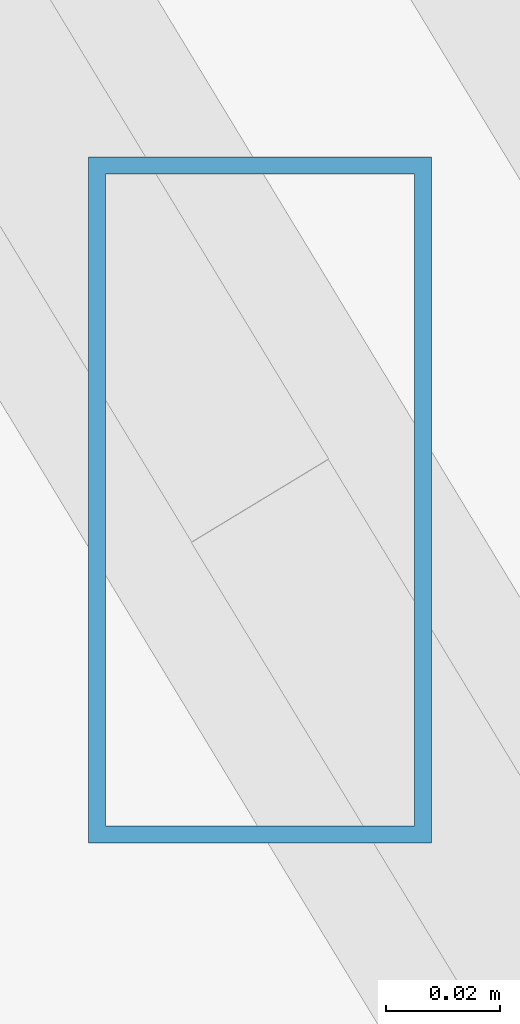
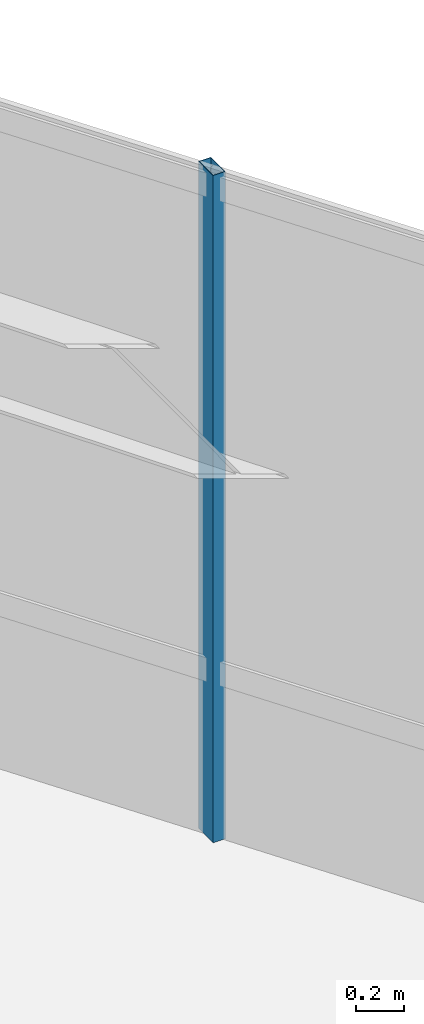
# One storey, part 26 of 47: 1 member, 1 element without a shape of its own.
"""IFC4 building model written with IfcOpenShell, lengths in metres."""

from ifc_helpers import new_model, si_unit, direction, frame, origin, origin_2d, place, context, subcontext, project, spatial, hollow_rectangle, extrude, source, transform, mapped, material, material_profile, profile_set, type_object, type_shapes, element, aggregate, save


model = new_model("IFC4")

# Units and contexts
model_context = context("Model", 3, precision=1e-05, world=origin(), true_north=direction((0.0, 1.0)))
body_context = subcontext(model_context, "Body", "Model", "MODEL_VIEW")
ifc_project = project(units=[si_unit("LENGTHUNIT", "METRE"), si_unit("AREAUNIT", "SQUARE_METRE"), si_unit("VOLUMEUNIT", "CUBIC_METRE"), si_unit("PLANEANGLEUNIT", "RADIAN"), si_unit("MASSUNIT", "GRAM", prefix="KILO")], contexts=[model_context])

# Site, building, storey
site_placement = place(None, origin())
site = spatial("IfcSite", under=ifc_project, at=site_placement, CompositionType="ELEMENT")
building_placement = place(site_placement, origin())
building = spatial("IfcBuilding", under=site, at=building_placement, Name="Caelisora Broadcast Tower", CompositionType="ELEMENT")
storey_placement = place(building_placement, frame((0.0, 0.0, 229.85009765625)))
storey = spatial("IfcBuildingStorey", under=building, at=storey_placement, Name="L60", CompositionType="ELEMENT", Elevation=229.85009765625)

# Curtain wall, member
ifc_material_1 = material(Name="Unitised Aluminium and Low-E Glass Curtain Wall", Category="glass")
curtain_wall_type = type_object("IfcCurtainWallType", Name="CW-Z5", PredefinedType="NOTDEFINED", material=ifc_material_1)
curtain_wall_placement = place(storey_placement, origin())
curtain_wall = element("IfcCurtainWall", 1, at=curtain_wall_placement, inside=storey, type_object=curtain_wall_type, Name="L60 curtain wall CW-Z5", PredefinedType="NOTDEFINED")
ifc_material_2 = material(Name="Aluminium 6063-T6 Anodised Terracotta Bronze", Category="aluminium")
ifc_material_profile = material_profile(ifc_material_2, hollow_rectangle(XDim=0.06005859375, YDim=0.1201171875, WallThickness=0.0029296875, at=origin_2d()), Name="Aluminium 6063-T6 Anodised Terracotta Bronze")
ifc_profile_set = profile_set([ifc_material_profile], Name="Aluminium 6063-T6 Anodised Terracotta Bronze")
member_type = type_object("IfcMemberType", Name="CWM-04", PredefinedType="MULLION", material=ifc_profile_set)
shared_shape = source(origin(), body_context, "Body", "SweptSolid", [
    extrude(hollow_rectangle(XDim=0.06005859375, YDim=0.1201171875, WallThickness=0.0029296875, at=origin_2d()), origin(), (0.0, 0.0, 1.0), 3.39990234375),
])
type_shapes(member_type, [shared_shape])
member_placement = place(storey_placement, frame((58.297119140625, 21.753662109375, 0.0), z_axis=(0.0, 0.0, 1.0), x_axis=(1.0, 0.0, 0.0)))
member = element("IfcMember", 2, at=member_placement, type_object=member_type, Name="L60-CW-B03 mullion #1", PredefinedType="MULLION", context=body_context, shape_type="MappedRepresentation", body=[
    mapped(shared_shape, transform((0.0, 0.0, 0.0), scale=1.0)),
])
aggregate(curtain_wall, [member])

save(model, "model.ifc")
